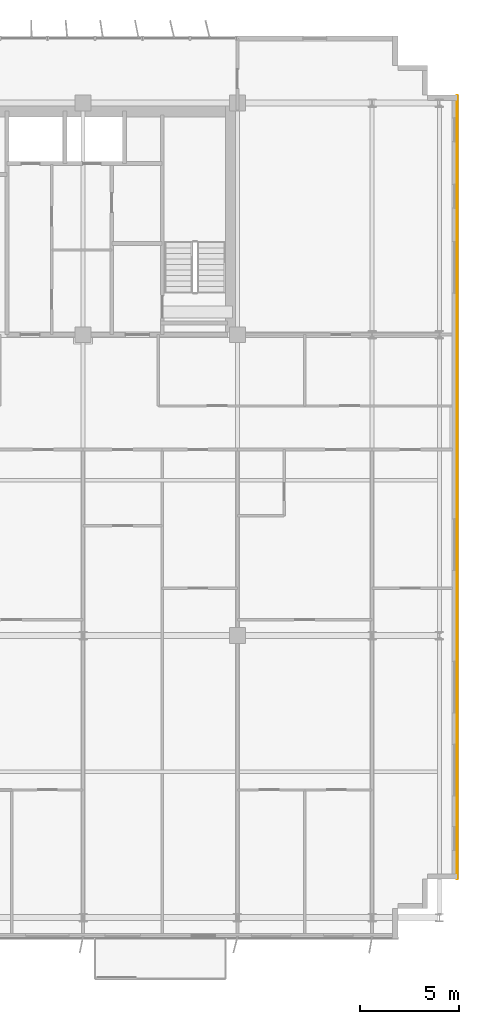
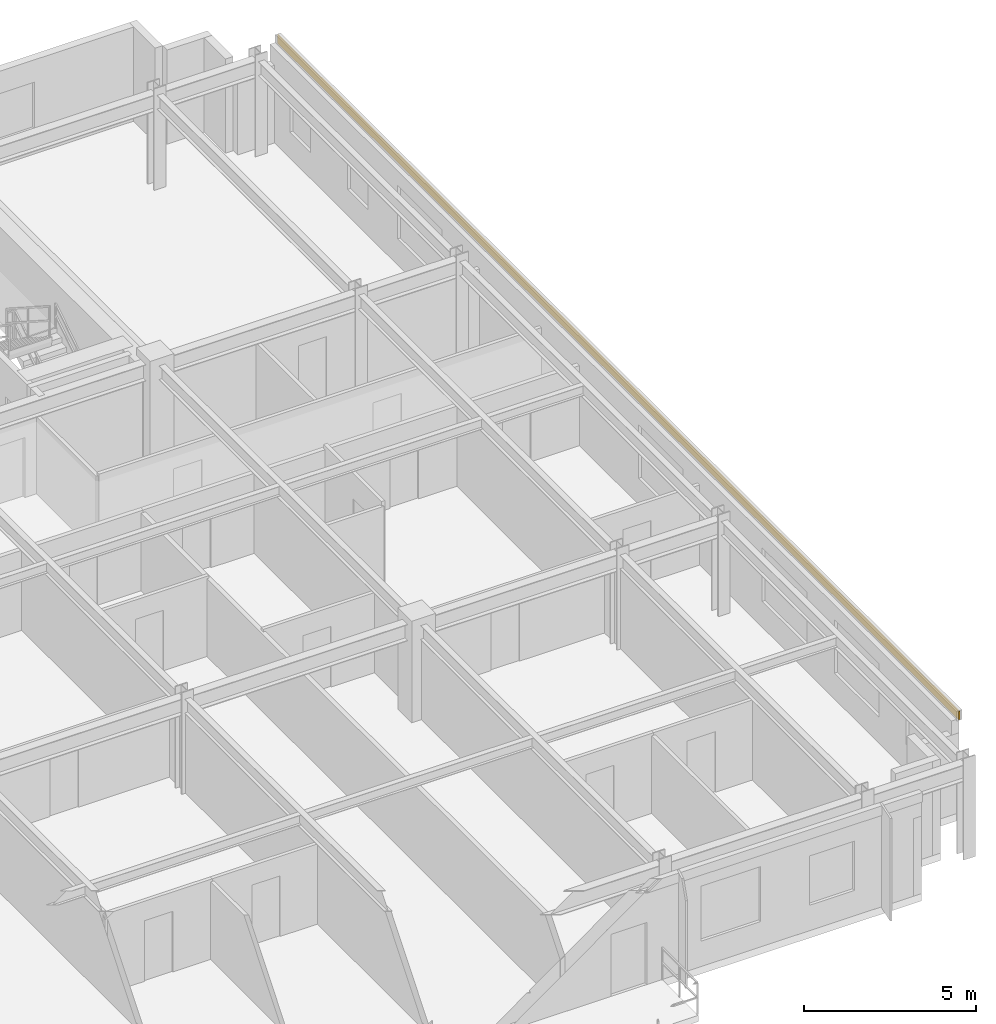
# One storey, part 21 of 21: 1 covering.
"""IFC4 building model written with IfcOpenShell, lengths in metres."""

import ifcopenshell
import ifcopenshell.guid

model = None  # the IFC model being written
_history = None  # IfcOwnerHistory: only IFC2X3 demands one
_inside = {}  # id of a spatial element -> (the spatial element, [elements in it])
_under = {}  # id of a project, library or spatial element -> (it, [spatial elements below it])
_declared = {}  # id of a project -> (the project, [libraries it declares])
_typed = {}  # id of a type object -> (the type object, [elements of that type])
_made_of = {}  # id of a material, layer set ... -> (it, [elements and type objects made of it])


def new_model(schema):
    """Start an empty IFC model of exactly this schema.

    Asked for "IFC4X3", IfcOpenShell would pick the latest addendum, in which some entities
    have other attributes; the version numbers below select the first issue.
    IFC2X3 requires an IfcOwnerHistory on every rooted entity: one is made here for all.
    """
    global model, _history
    if schema == "IFC4X3":
        model = ifcopenshell.file(schema_version=(4, 3, 0, 0))
    else:
        model = ifcopenshell.file(schema=schema)
    _inside.clear()
    _under.clear()
    _declared.clear()
    _typed.clear()
    _made_of.clear()
    _history = None
    if model.schema == "IFC2X3":
        org = make("IfcOrganization", Name="unknown")
        user = make(
            "IfcPersonAndOrganization",
            ThePerson=make("IfcPerson", FamilyName="unknown"),
            TheOrganization=org,
        )
        app = make(
            "IfcApplication",
            ApplicationDeveloper=org,
            Version="unknown",
            ApplicationFullName="unknown",
            ApplicationIdentifier="unknown",
        )
        _history = make(
            "IfcOwnerHistory",
            OwningUser=user,
            OwningApplication=app,
            ChangeAction="ADDED",
            CreationDate=0,
        )
    return model


def make(cls, **values):
    """One entity of the class cls with the attributes given. An attribute that is None is left unset."""
    return model.create_entity(
        cls, **{name: value for name, value in values.items() if value is not None}
    )


def rooted(cls, **values):
    """An entity with a GlobalId (a new one), such as an element, a storey or a relation."""
    return make(cls, GlobalId=ifcopenshell.guid.new(), OwnerHistory=_history, **values)


def si_unit(unit_type, name, prefix=None):
    """IfcSIUnit, for example si_unit("LENGTHUNIT", "METRE", prefix="MILLI")."""
    return make("IfcSIUnit", UnitType=unit_type, Prefix=prefix, Name=name)


def assignment(units):
    """IfcUnitAssignment: the units of a project."""
    return None if units is None else make("IfcUnitAssignment", Units=units)


def point(xyz):
    """IfcCartesianPoint."""
    return None if xyz is None else make("IfcCartesianPoint", Coordinates=xyz)


def direction(xyz):
    """IfcDirection."""
    return None if xyz is None else make("IfcDirection", DirectionRatios=xyz)


def frame(location, z_axis=None, x_axis=None):
    """IfcAxis2Placement3D, a coordinate frame: its origin and axes. An axis left out is left unset."""
    return make(
        "IfcAxis2Placement3D",
        Location=point(location),
        Axis=direction(z_axis),
        RefDirection=direction(x_axis),
    )


def frame_2d(location, x_axis=None):
    """IfcAxis2Placement2D, a coordinate frame in the plane: its origin and x axis."""
    return make(
        "IfcAxis2Placement2D", Location=point(location), RefDirection=direction(x_axis)
    )


def origin():
    """The frame at (0, 0, 0) with its axes left unset."""
    return frame((0.0, 0.0, 0.0))


def origin_2d():
    """The frame at (0, 0) in the plane with its x axis left unset."""
    return frame_2d((0.0, 0.0))


def place(relative_to, where):
    """IfcLocalPlacement: puts the frame where relative to a parent placement (None: the world)."""
    return make(
        "IfcLocalPlacement", PlacementRelTo=relative_to, RelativePlacement=where
    )


def context(
    kind, dimensions, precision=None, world=None, true_north=None, identifier=None
):
    """IfcGeometricRepresentationContext, for example the 3D "Model" context."""
    return make(
        "IfcGeometricRepresentationContext",
        ContextIdentifier=identifier,
        ContextType=kind,
        CoordinateSpaceDimension=dimensions,
        Precision=precision,
        WorldCoordinateSystem=world,
        TrueNorth=true_north,
    )


def subcontext(parent, identifier, kind, view, scale=None):
    """IfcGeometricRepresentationSubContext, for example "Body" below "Model"."""
    return make(
        "IfcGeometricRepresentationSubContext",
        ContextIdentifier=identifier,
        ContextType=kind,
        ParentContext=parent,
        TargetScale=scale,
        TargetView=view,
    )


def project(units=None, contexts=None):
    """IfcProject with its units and contexts."""
    return rooted(
        "IfcProject",
        Name="project",
        RepresentationContexts=contexts,
        UnitsInContext=assignment(units),
    )


def spatial(cls, under=None, at=None, **own):
    """A site, building, storey or space (cls), placed at a placement, below another one or the project."""
    s = rooted(cls, ObjectPlacement=at, **own)
    if under is not None:
        _under.setdefault(under.id(), (under, []))[1].append(s)
    return s


def profile(cls, at=None, kind="AREA", **sizes):
    """A parametric profile (cls). Its sizes go by their IFC names, for example OverallWidth=200.0."""
    return make(cls, ProfileType=kind, Position=at, **sizes)


def rectangle(**sizes):
    """IfcRectangleProfileDef."""
    return profile("IfcRectangleProfileDef", **sizes)


def extrude(swept, where, along, depth):
    """IfcExtrudedAreaSolid: the profile swept, set in the frame where, extruded along a direction by depth."""
    return make(
        "IfcExtrudedAreaSolid",
        SweptArea=swept,
        Position=where,
        ExtrudedDirection=direction(along),
        Depth=depth,
    )


def shape(context_of_items, identifier, shape_type, items):
    """IfcShapeRepresentation: the items that make up one representation, for example the "Body"."""
    return make(
        "IfcShapeRepresentation",
        ContextOfItems=context_of_items,
        RepresentationIdentifier=identifier,
        RepresentationType=shape_type,
        Items=items,
    )


def source(mapping_origin, context_of_items, identifier, shape_type, items):
    """IfcRepresentationMap: a shape defined once, which mapped items show again and again."""
    return make(
        "IfcRepresentationMap",
        MappingOrigin=mapping_origin,
        MappedRepresentation=shape(context_of_items, identifier, shape_type, items),
    )


def transform(
    local_origin,
    x_axis=None,
    y_axis=None,
    z_axis=None,
    scale=None,
    scale2=None,
    scale3=None,
    uniform=True,
):
    """IfcCartesianTransformationOperator3D, or its non-uniform kind. x_axis, y_axis, z_axis: its Axis1, 2, 3."""
    if uniform:
        return make(
            "IfcCartesianTransformationOperator3D",
            Axis1=direction(x_axis),
            Axis2=direction(y_axis),
            LocalOrigin=point(local_origin),
            Scale=scale,
            Axis3=direction(z_axis),
        )
    return make(
        "IfcCartesianTransformationOperator3DnonUniform",
        Axis1=direction(x_axis),
        Axis2=direction(y_axis),
        LocalOrigin=point(local_origin),
        Scale=scale,
        Axis3=direction(z_axis),
        Scale2=scale2,
        Scale3=scale3,
    )


def mapped(mapping_source, mapping_target):
    """IfcMappedItem: shows the shape of a source again, moved by a transform."""
    return make(
        "IfcMappedItem", MappingSource=mapping_source, MappingTarget=mapping_target
    )


def material(Name=None, Category=None):
    """IfcMaterial."""
    return make("IfcMaterial", Name=Name, Category=Category)


def layer(
    of_material, thickness, ventilated=None, Name=None, Category=None, Priority=None
):
    """IfcMaterialLayer: one layer of a wall or slab, of a material (None: an air gap)."""
    return make(
        "IfcMaterialLayer",
        Material=of_material,
        LayerThickness=thickness,
        IsVentilated=ventilated,
        Name=Name,
        Category=Category,
        Priority=Priority,
    )


def layer_set(layers, Name=None):
    """IfcMaterialLayerSet."""
    return make("IfcMaterialLayerSet", MaterialLayers=layers, LayerSetName=Name)


def made_of(thing, what):
    """Note that an element or type object is made of a material, layer set ...; save() writes the relation."""
    if what is not None:
        _made_of.setdefault(what.id(), (what, []))[1].append(thing)
    return thing


def type_object(cls, material=None, **own):
    """A type object (cls), such as IfcWallType, which elements share."""
    return made_of(rooted(cls, **own), material)


def element(
    cls,
    number,
    at=None,
    inside=None,
    cuts=None,
    type_object=None,
    material=None,
    context=None,
    identifier="Body",
    shape_type=None,
    held_by="IfcProductDefinitionShape",
    body=None,
    shapes=None,
    **own,
):
    """One element of the class cls, such as IfcWall. Its Tag is "e" and its number.

    at: its placement. inside: the storey or other place that contains it. cuts: it is an
    opening in that element (IfcRelVoidsElement). A single representation is given by context,
    identifier, shape_type and body (its items); several are given by shapes. held_by: the class
    of the entity that holds the representations. save() writes the other relations.
    """
    e = rooted(cls, Tag="e%d" % number, ObjectPlacement=at, **own)
    if body is not None:
        shapes = [shape(context, identifier, shape_type, body)]
    if shapes is not None:
        e.Representation = make(held_by, Representations=shapes)
    if inside is not None:
        _inside.setdefault(inside.id(), (inside, []))[1].append(e)
    if cuts is not None:
        rooted(
            "IfcRelVoidsElement", RelatingBuildingElement=cuts, RelatedOpeningElement=e
        )
    if type_object is not None:
        _typed.setdefault(type_object.id(), (type_object, []))[1].append(e)
    return made_of(e, material)


def aggregate(whole, parts):
    """IfcRelAggregates: a whole, such as a stair, and the parts it consists of."""
    return rooted("IfcRelAggregates", RelatingObject=whole, RelatedObjects=parts)


def save(model, path):
    """Write the relations noted so far, then the file.

    IfcRelAggregates (storeys below a building ...), IfcRelContainedInSpatialStructure (elements
    in a storey), IfcRelDefinesByType, IfcRelAssociatesMaterial and IfcRelDeclares: one each for
    every whole, place, type object, material and project.
    """
    for whole, parts in _under.values():
        aggregate(whole, parts)
    for where, things in _inside.values():
        rooted(
            "IfcRelContainedInSpatialStructure",
            RelatedElements=things,
            RelatingStructure=where,
        )
    for kind, things in _typed.values():
        rooted("IfcRelDefinesByType", RelatedObjects=things, RelatingType=kind)
    for what, things in _made_of.values():
        rooted("IfcRelAssociatesMaterial", RelatedObjects=things, RelatingMaterial=what)
    for by, libraries in _declared.values():
        rooted("IfcRelDeclares", RelatingContext=by, RelatedDefinitions=libraries)
    model.write(path)


model = new_model("IFC4")

# Units and contexts
model_context = context("Model", 3, precision=1e-05, world=origin(), true_north=direction((0.0, 1.0)))
body_context = subcontext(model_context, "Body", "Model", "MODEL_VIEW")
ifc_project = project(units=[si_unit("LENGTHUNIT", "METRE"), si_unit("AREAUNIT", "SQUARE_METRE"), si_unit("VOLUMEUNIT", "CUBIC_METRE"), si_unit("PLANEANGLEUNIT", "RADIAN"), si_unit("MASSUNIT", "GRAM", prefix="KILO")], contexts=[model_context])

# Site, building, storey
site_placement = place(None, origin())
site = spatial("IfcSite", under=ifc_project, at=site_placement, CompositionType="ELEMENT")
building_placement = place(site_placement, origin())
building = spatial("IfcBuilding", under=site, at=building_placement, Name="Trelvane Seafront Commons", CompositionType="ELEMENT")
storey_placement = place(building_placement, frame((0.0, 0.0, 103.300048828125)))
storey = spatial("IfcBuildingStorey", under=building, at=storey_placement, Name="L26", CompositionType="ELEMENT", Elevation=103.300048828125)

# Covering
ifc_material = material(Name="Anodised pale-silver aluminium", Category="aluminium")
ifc_layer = layer(ifc_material, 0.034912109375, Name="ARCH-COV-CLAD35")
ifc_layer_set = layer_set([ifc_layer], Name="Anodised pale-silver aluminium")
covering_type = type_object("IfcCoveringType", Name="ARCH-COV-CLAD35", PredefinedType="CLADDING", material=ifc_layer_set)
shared_shape = source(origin(), body_context, "Body", "SweptSolid", [
    extrude(rectangle(XDim=39.60009765625, YDim=0.034912109375, at=origin_2d()), origin(), (0.0, 0.0, 1.0), 0.300048828125),
])
covering_placement = place(storey_placement, frame((69.89990234375, 25.699951171875, 3.2998046875), z_axis=(0.0, 0.0, 1.0), x_axis=(0.0, -1.0, 0.0)))
element("IfcCovering", 1, at=covering_placement, inside=storey, type_object=covering_type, Name="CLD-L26-00110", PredefinedType="CLADDING", context=body_context, shape_type="MappedRepresentation", body=[
    mapped(shared_shape, transform((0.0, 0.0, 0.0), x_axis=(1.0, 0.0, 0.0), y_axis=(0.0, 1.0, 0.0), z_axis=(0.0, 0.0, 1.0), scale=1.0)),
])

save(model, "model.ifc")
